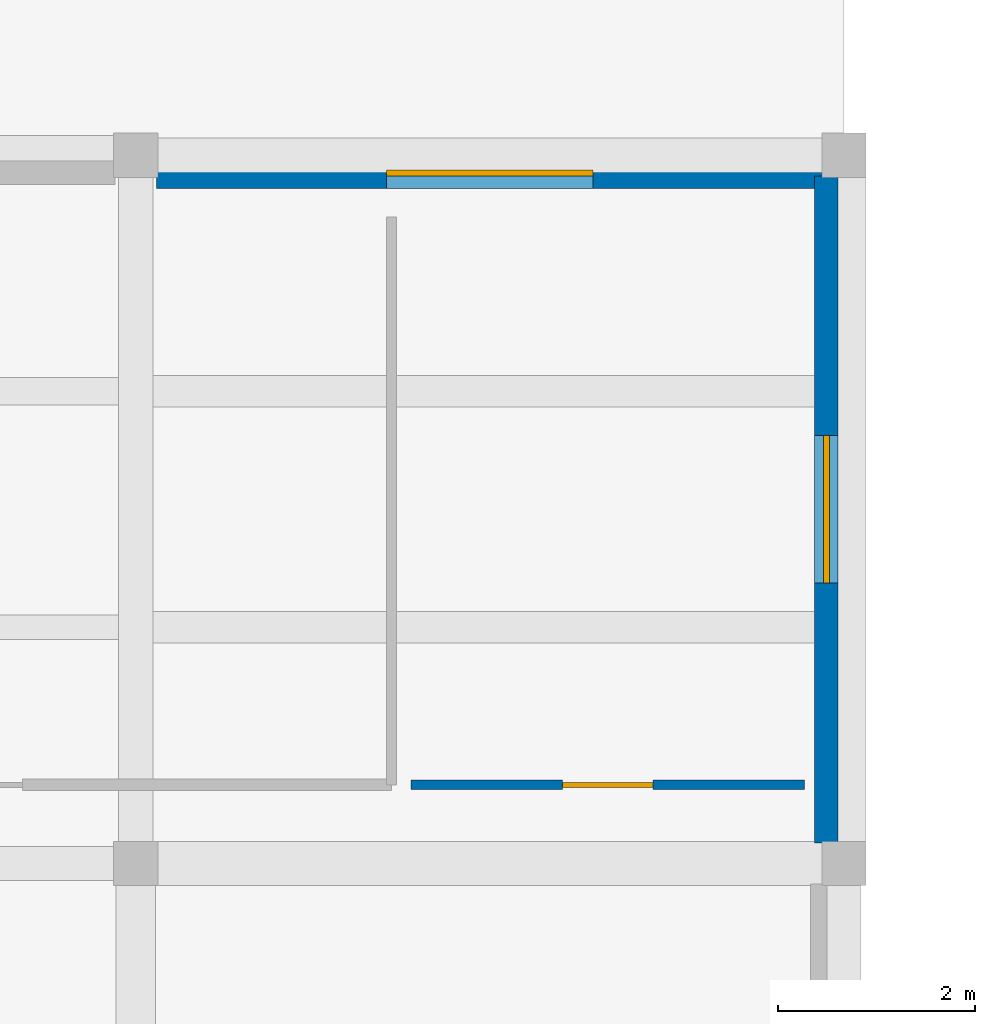
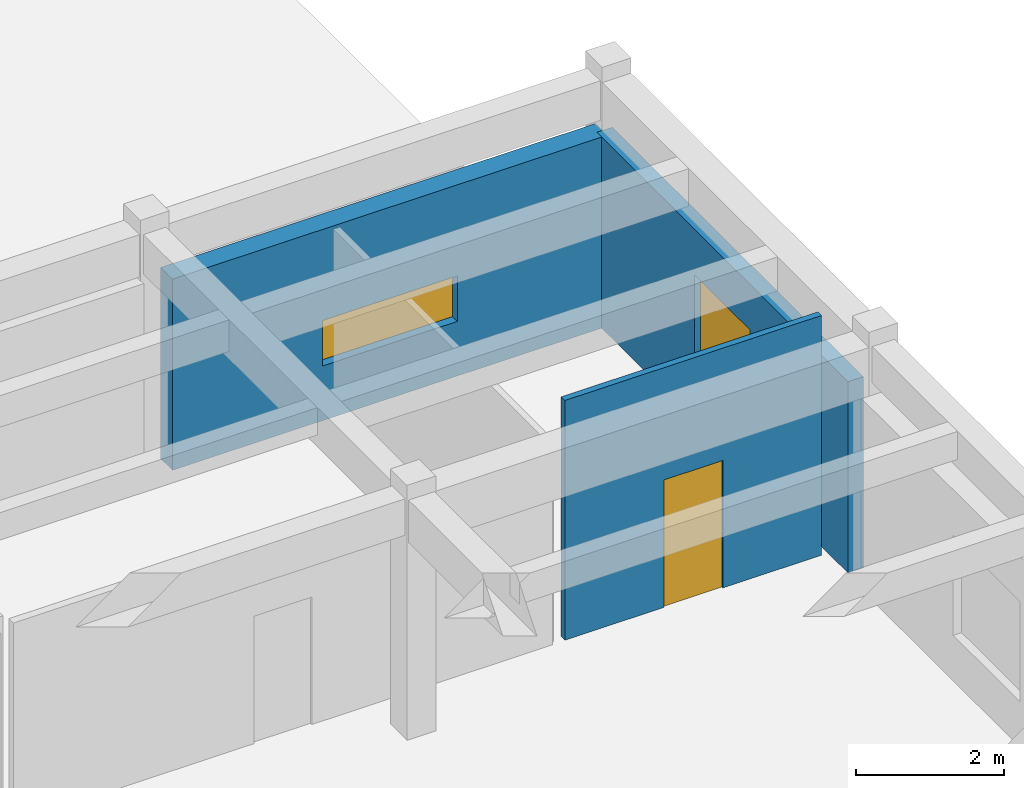
# One storey, part 39 of 60: 3 walls, 2 windows, 1 door, 3 openings.
"""IFC4 building model written with IfcOpenShell, lengths in metres."""

from ifc_helpers import new_model, si_unit, direction, frame, frame_2d, origin, place, context, subcontext, project, spatial, rectangle, extrude, material, layer, layer_set, type_object, element, fill, save


model = new_model("IFC4")

# Units and contexts
model_context = context("Model", 3, precision=1e-05, world=origin(), true_north=direction((0.0, 1.0)))
body_context = subcontext(model_context, "Body", "Model", "MODEL_VIEW")
ifc_project = project(units=[si_unit("LENGTHUNIT", "METRE"), si_unit("AREAUNIT", "SQUARE_METRE"), si_unit("VOLUMEUNIT", "CUBIC_METRE"), si_unit("PLANEANGLEUNIT", "RADIAN"), si_unit("MASSUNIT", "GRAM", prefix="KILO")], contexts=[model_context])

# Site, building, storey
site_placement = place(None, origin())
site = spatial("IfcSite", under=ifc_project, at=site_placement, CompositionType="ELEMENT")
building_placement = place(site_placement, origin())
building = spatial("IfcBuilding", under=site, at=building_placement, Name="Brisavento Harbour Community Centre", CompositionType="ELEMENT")
storey_placement = place(building_placement, frame((0.0, 0.0, 4.5)))
storey = spatial("IfcBuildingStorey", under=building, at=storey_placement, Name="L01", CompositionType="ELEMENT", Elevation=4.5)

# Wall, opening, window
ifc_material_1 = material(Name="Terracotta masonry unit", Category="masonry")
ifc_layer_1 = layer(ifc_material_1, 0.239990234375, Name="Terracotta masonry unit")
ifc_layer_set_1 = layer_set([ifc_layer_1], Name="Terracotta masonry unit")
wall_type_1 = type_object("IfcWallType", Name="WL-EXT-240", PredefinedType="SOLIDWALL", material=ifc_layer_set_1)
wall_1_placement = place(storey_placement, frame((35.820068359375, 86.18994140625, 0.0), z_axis=(0.0, 0.0, 1.0), x_axis=(0.0, -1.0, 0.0)))
wall_1 = element("IfcWall", 1, at=wall_1_placement, inside=storey, type_object=wall_type_1, Name="L01 V5 exterior wall 0213", PredefinedType="SOLIDWALL", context=body_context, shape_type="SweptSolid", body=[
    extrude(rectangle(XDim=6.780029296875, YDim=0.239990234375, at=frame_2d((3.39013671875, 0.0))), origin(), (0.0, 0.0, 1.0), 3.14990234375),
])
opening_1_placement = place(wall_1_placement, frame((2.639892578125, 0.0, 0.75)))
opening_1 = element("IfcOpeningElement", 2, at=opening_1_placement, cuts=wall_1, Name="Opening W-20", PredefinedType="OPENING", context=body_context, shape_type="SweptSolid", body=[
    extrude(rectangle(XDim=1.5, YDim=1.64990234375, at=frame_2d((0.75, 0.824951171875))), frame((0.0, 0.1298828125, 0.0), z_axis=(0.0, -1.0, 0.0), x_axis=(1.0, 0.0, 0.0)), (0.0, 0.0, 1.0), 0.260009765625),
])
ifc_material_2 = material(Name="Solar-control laminated low-E glass", Category="glass")
window_type_1 = type_object("IfcWindowType", Name="WIN-CAS-20", PartitioningType="SINGLE_PANEL", PredefinedType="WINDOW", material=ifc_material_2)
window_1_placement = place(opening_1_placement, origin())
window_1 = element("IfcWindow", 3, at=window_1_placement, inside=storey, type_object=window_type_1, Name="L01 V5 impact casement window 0092", OverallHeight=1.64990234375, OverallWidth=1.5, PartitioningType="SINGLE_PANEL", PredefinedType="WINDOW", context=body_context, shape_type="SweptSolid", body=[
    extrude(rectangle(XDim=1.5, YDim=1.64990234375, at=frame_2d((0.75, 0.824951171875))), frame((0.0, 0.030029296875, 0.0), z_axis=(0.0, -1.0, 0.0), x_axis=(1.0, 0.0, 0.0)), (0.0, 0.0, 1.0), 0.06005859375),
])
fill(opening_1, window_1)

ifc_material_3 = material(Name="Concrete C35/45", Category="concrete")
ifc_layer_2 = layer(ifc_material_3, 0.320068359375, Name="Concrete C35/45")
ifc_layer_set_2 = layer_set([ifc_layer_2], Name="Concrete C35/45")
wall_type_2 = type_object("IfcWallType", Name="WL-EXT-320", PredefinedType="SOLIDWALL", material=ifc_layer_set_2)
wall_2_placement = place(storey_placement, frame((29.010009765625, 86.219970703125, 0.0), z_axis=(0.0, 0.0, 1.0), x_axis=(1.0, 0.0, 0.0)))
wall_2 = element("IfcWall", 4, at=wall_2_placement, inside=storey, type_object=wall_type_2, Name="L01 V5 exterior wall 0219", PredefinedType="SOLIDWALL", context=body_context, shape_type="SweptSolid", body=[
    extrude(rectangle(XDim=6.780029296875, YDim=0.320068359375, at=frame_2d((3.39013671875, 0.0))), origin(), (0.0, 0.0, 1.0), 3.14990234375),
])
opening_2_placement = place(wall_2_placement, frame((2.340087890625, 0.0, 0.89990234375)))
opening_2 = element("IfcOpeningElement", 5, at=opening_2_placement, cuts=wall_2, Name="Opening W-26", PredefinedType="OPENING", context=body_context, shape_type="SweptSolid", body=[
    extrude(rectangle(XDim=2.10009765625, YDim=0.75, at=frame_2d((1.050048828125, 0.375))), frame((0.0, 0.169921875, 0.0), z_axis=(0.0, -1.0, 0.0), x_axis=(1.0, 0.0, 0.0)), (0.0, 0.0, 1.0), 0.340087890625),
])
window_type_2 = type_object("IfcWindowType", Name="WIN-CAS-26", PartitioningType="SINGLE_PANEL", PredefinedType="WINDOW", material=ifc_material_2)
window_2_placement = place(opening_2_placement, origin())
window_2 = element("IfcWindow", 6, at=window_2_placement, inside=storey, type_object=window_type_2, Name="L01 V5 impact casement window 0098", OverallHeight=0.75, OverallWidth=2.10009765625, PartitioningType="SINGLE_PANEL", PredefinedType="WINDOW", context=body_context, shape_type="SweptSolid", body=[
    extrude(rectangle(XDim=2.10009765625, YDim=0.75, at=frame_2d((1.050048828125, 0.375))), frame((0.0, 0.030029296875, 0.0), z_axis=(0.0, -1.0, 0.0), x_axis=(1.0, 0.0, 0.0)), (0.0, 0.0, 1.0), 0.06005859375),
])
fill(opening_2, window_2)

# Wall, opening, door
ifc_material_4 = material(Name="Lightweight stud partition", Category="other")
ifc_layer_3 = layer(ifc_material_4, 0.10009765625, Name="Lightweight stud partition")
ifc_layer_set_3 = layer_set([ifc_layer_3], Name="Lightweight stud partition")
wall_type_3 = type_object("IfcWallType", Name="WL-PRT-100", PredefinedType="PARTITIONING", material=ifc_layer_set_3)
wall_3_placement = place(storey_placement, frame((31.60009765625, 80.0, 0.0), z_axis=(0.0, 0.0, 1.0), x_axis=(1.0, 0.0, 0.0)))
wall_3 = element("IfcWall", 7, at=wall_3_placement, inside=storey, type_object=wall_type_3, Name="L01 Culinary Accessible WC L01 partition 0195", PredefinedType="PARTITIONING", context=body_context, shape_type="SweptSolid", body=[
    extrude(rectangle(XDim=4.0, YDim=0.10009765625, at=frame_2d((2.0, 0.0))), origin(), (0.0, 0.0, 1.0), 3.949951171875),
])
opening_3_placement = place(wall_3_placement, frame((1.5400390625, 0.0, 0.0)))
opening_3 = element("IfcOpeningElement", 8, at=opening_3_placement, cuts=wall_3, Name="Opening WD-01", PredefinedType="OPENING", context=body_context, shape_type="SweptSolid", body=[
    extrude(rectangle(XDim=0.919921875, YDim=2.10009765625, at=frame_2d((0.4599609375, 1.050048828125))), frame((0.0, 0.06005859375, 0.0), z_axis=(0.0, -1.0, 0.0), x_axis=(1.0, 0.0, 0.0)), (0.0, 0.0, 1.0), 0.1201171875),
])
ifc_material_5 = material(Name="Moisture-resistant laminate door", Category="other")
door_type = type_object("IfcDoorType", Name="DR-WC-092x210", OperationType="NOTDEFINED", PredefinedType="DOOR", material=ifc_material_5)
door_placement = place(opening_3_placement, origin())
door = element("IfcDoor", 9, at=door_placement, inside=storey, type_object=door_type, Name="L01 Culinary Accessible WC L01 door 0071", OperationType="SINGLE_SWING_RIGHT", OverallHeight=2.10009765625, OverallWidth=0.919921875, PredefinedType="DOOR", context=body_context, shape_type="SweptSolid", body=[
    extrude(rectangle(XDim=0.919921875, YDim=2.10009765625, at=frame_2d((0.4599609375, 1.050048828125))), frame((0.0, 0.02490234375, 0.0), z_axis=(0.0, -1.0, 0.0), x_axis=(1.0, 0.0, 0.0)), (0.0, 0.0, 1.0), 0.050048828125),
])
fill(opening_3, door)

save(model, "model.ifc")
